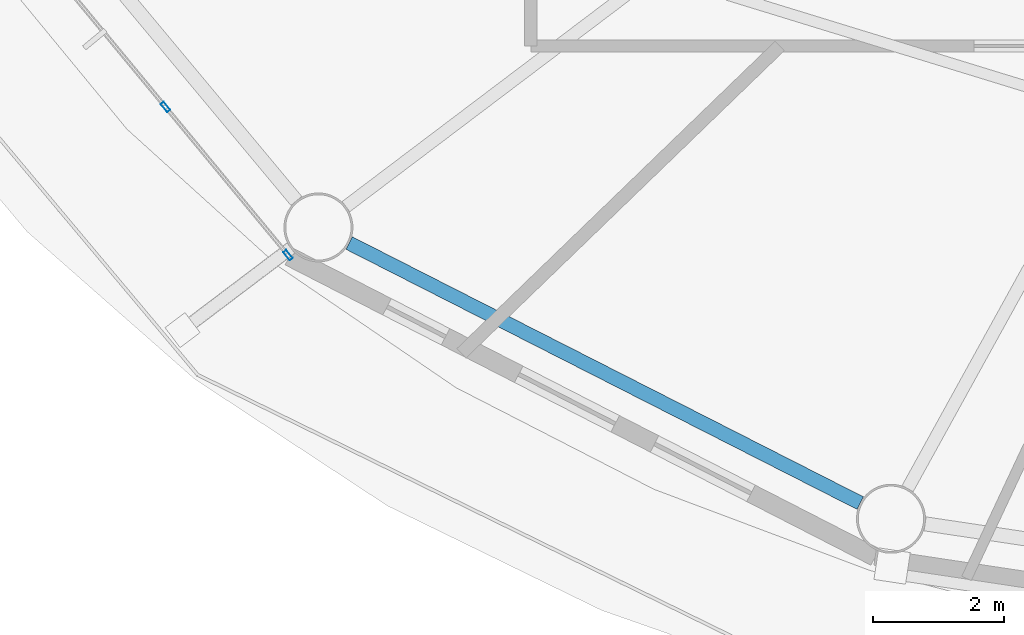
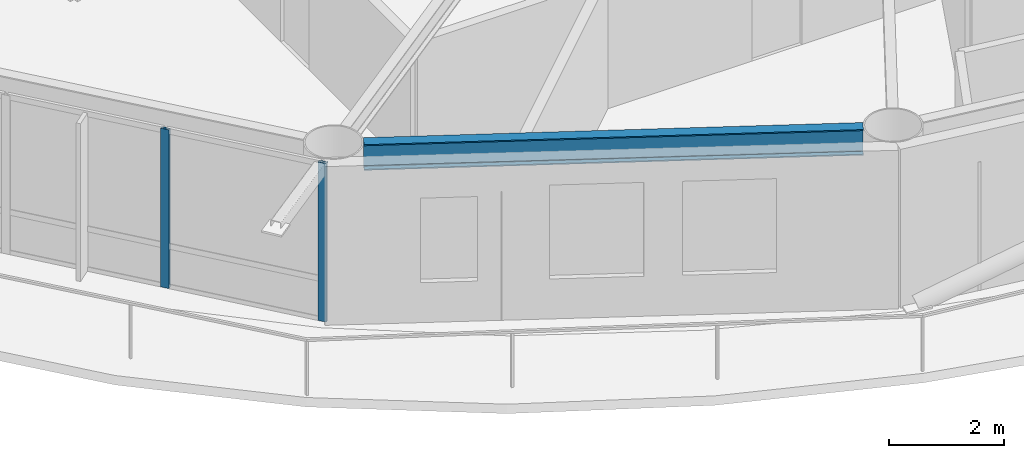
# One storey, part 2 of 28: 2 members, 1 beam, 1 element without a shape of its own.
"""IFC4 building model written with IfcOpenShell, lengths in metres."""

from ifc_helpers import new_model, si_unit, direction, frame, origin, origin_2d, place, context, subcontext, project, spatial, hollow_rectangle, i_section, extrude, material, layer, layer_set, material_profile, profile_set, type_object, element, aggregate, save


model = new_model("IFC4")

# Units and contexts
model_context = context("Model", 3, precision=1e-05, world=origin(), true_north=direction((0.0, 1.0)))
body_context = subcontext(model_context, "Body", "Model", "MODEL_VIEW")
ifc_project = project(units=[si_unit("LENGTHUNIT", "METRE"), si_unit("AREAUNIT", "SQUARE_METRE"), si_unit("VOLUMEUNIT", "CUBIC_METRE"), si_unit("PLANEANGLEUNIT", "RADIAN"), si_unit("MASSUNIT", "GRAM", prefix="KILO")], contexts=[model_context])

# Site, building, storey
site_placement = place(None, origin())
site = spatial("IfcSite", under=ifc_project, at=site_placement, CompositionType="ELEMENT")
building_placement = place(site_placement, origin())
building = spatial("IfcBuilding", under=site, at=building_placement, Name="Sarneth Arch Tower", CompositionType="ELEMENT")
storey_placement = place(building_placement, frame((0.0, 0.0, 154.199951171875)))
storey = spatial("IfcBuildingStorey", under=building, at=storey_placement, Name="L38", CompositionType="ELEMENT", Elevation=154.199951171875)

# Beam
ifc_material_1 = material(Name="Steel S355", Category="steel")
ifc_material_profile_1 = material_profile(ifc_material_1, i_section(OverallWidth=0.214111328125, OverallDepth=0.549072265625, WebThickness=0.0146484375, FlangeThickness=0.023681640625, FilletRadius=0.01806640625, at=origin_2d()), Name="W530x138")
ifc_profile_set_1 = profile_set([ifc_material_profile_1], Name="Steel S355")
beam_type = type_object("IfcBeamType", Name="BM-RAD-530A", PredefinedType="BEAM", material=ifc_profile_set_1)
beam_placement = place(storey_placement, frame((29.334228515625, 27.301513671875, 3.10546875), z_axis=(0.891254220899, -0.453504039374, 0.0), x_axis=(0.453504039374, 0.891254220899, 0.0)))
element("IfcBeam", 1, at=beam_placement, inside=storey, type_object=beam_type, Name="L38 Perimeter spandrel beam 11", PredefinedType="BEAM", context=body_context, shape_type="SweptSolid", body=[
    extrude(i_section(OverallWidth=0.214111328125, OverallDepth=0.549072265625, WebThickness=0.0146484375, FlangeThickness=0.023681640625, FilletRadius=0.01806640625, at=origin_2d()), origin(), (0.0, 0.0, 1.0), 8.724853515625),
])

# Curtain wall, members
ifc_material_2 = material(Name="Anodised aluminium Type AA25 and solar-control low-e laminated IGU", Category="aluminium")
ifc_layer = layer(ifc_material_2, 0.169921875)
ifc_layer_set = layer_set([ifc_layer], Name="Anodised aluminium Type AA25 and solar-control low-e laminated IGU")
curtain_wall_type = type_object("IfcCurtainWallType", Name="CW-RES-MID", PredefinedType="NOTDEFINED", material=ifc_layer_set)
curtain_wall_placement = place(storey_placement, origin())
curtain_wall = element("IfcCurtainWall", 2, at=curtain_wall_placement, inside=storey, type_object=curtain_wall_type, Name="L38 Unitised curtain wall facet 10", PredefinedType="NOTDEFINED")
ifc_material_3 = material(Name="Anodised Aluminium 6063-T6", Category="aluminium")
ifc_material_profile_2 = material_profile(ifc_material_3, hollow_rectangle(XDim=0.06005859375, YDim=0.159912109375, WallThickness=0.00390625, at=origin_2d()), Name="AL-MULL-160x60x4")
ifc_profile_set_2 = profile_set([ifc_material_profile_2], Name="Anodised Aluminium 6063-T6")
member_type = type_object("IfcMemberType", Name="CW-MULLION", PredefinedType="MULLION", material=ifc_profile_set_2)
member_1_placement = place(storey_placement, frame((26.53857421875, 29.373779296875, 0.0), z_axis=(0.0, 0.0, 1.0), x_axis=(0.770590741276, 0.637330298558, 0.0)))
member_1 = element("IfcMember", 3, at=member_1_placement, type_object=member_type, Name="CW-SYS-5 mullion 3", PredefinedType="MULLION", context=body_context, shape_type="SweptSolid", body=[
    extrude(hollow_rectangle(XDim=0.06005859375, YDim=0.159912109375, WallThickness=0.00390625, at=origin_2d()), origin(), (0.0, 0.0, 1.0), 3.380126953125),
])
member_2_placement = place(storey_placement, frame((28.40478515625, 27.1171875, 0.0), z_axis=(0.0, 0.0, 1.0), x_axis=(0.770590741276, 0.637330298558, 0.0)))
member_2 = element("IfcMember", 4, at=member_2_placement, type_object=member_type, Name="CW-SYS-5 mullion 4", PredefinedType="MULLION", context=body_context, shape_type="SweptSolid", body=[
    extrude(hollow_rectangle(XDim=0.06005859375, YDim=0.159912109375, WallThickness=0.00390625, at=origin_2d()), origin(), (0.0, 0.0, 1.0), 3.380126953125),
])
aggregate(curtain_wall, [member_1, member_2])

save(model, "model.ifc")
